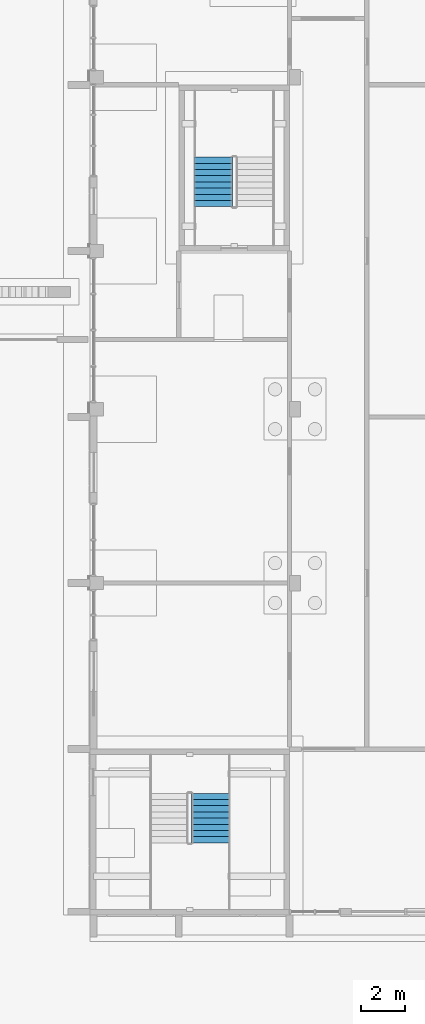
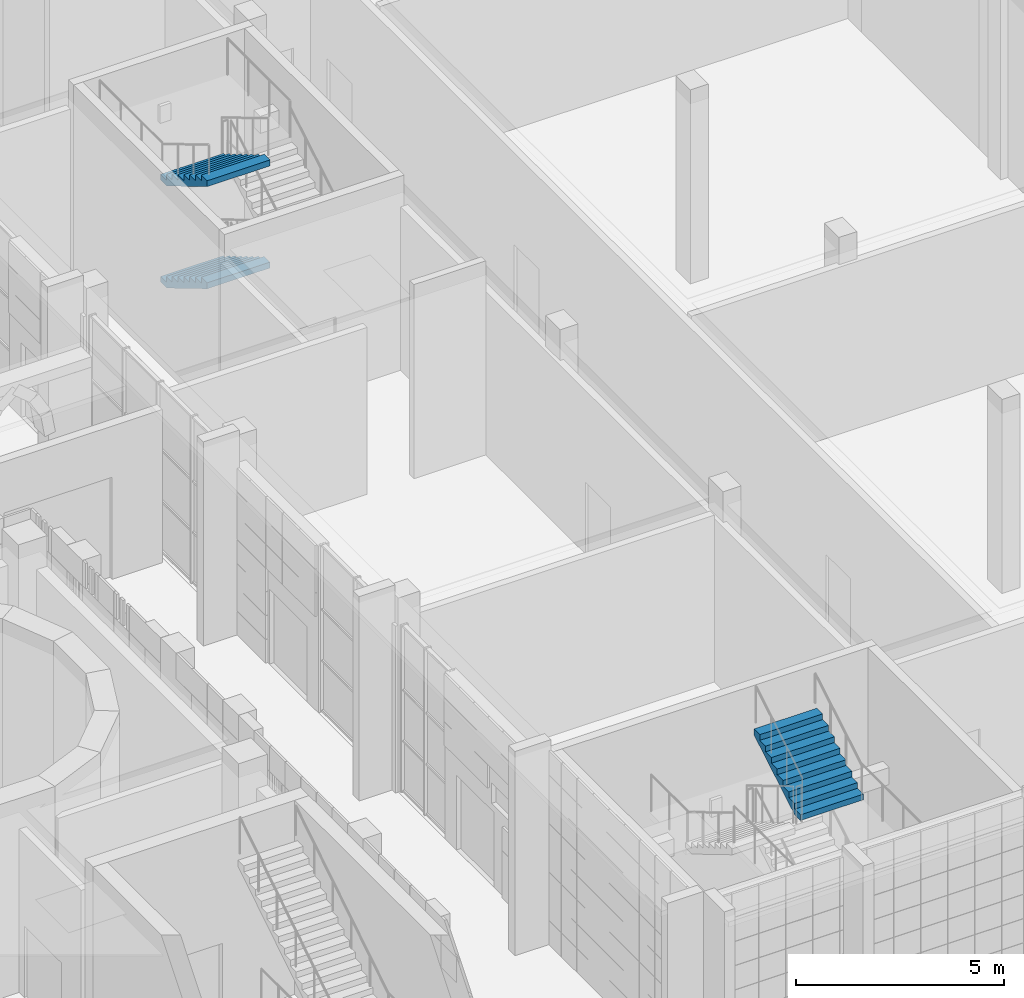
# One storey, part 63 of 125: 3 stair flights, 2 elements without a shape of their own.
"""IFC4 building model written with IfcOpenShell, lengths in metres."""

from ifc_helpers import new_model, si_unit, direction, frame, origin, place, context, subcontext, project, spatial, polyline, outline, extrude, material, type_object, element, aggregate, save


model = new_model("IFC4")

# Units and contexts
model_context = context("Model", 3, precision=1e-05, world=origin(), true_north=direction((0.0, 1.0)))
body_context = subcontext(model_context, "Body", "Model", "MODEL_VIEW")
ifc_project = project(units=[si_unit("LENGTHUNIT", "METRE"), si_unit("AREAUNIT", "SQUARE_METRE"), si_unit("VOLUMEUNIT", "CUBIC_METRE"), si_unit("PLANEANGLEUNIT", "RADIAN"), si_unit("MASSUNIT", "GRAM", prefix="KILO")], contexts=[model_context])

# Site, building, storey
site_placement = place(None, origin())
site = spatial("IfcSite", under=ifc_project, at=site_placement, CompositionType="ELEMENT")
building_placement = place(site_placement, origin())
building = spatial("IfcBuilding", under=site, at=building_placement, Name="Sun Court Science Centre", CompositionType="ELEMENT")
storey_placement = place(building_placement, origin())
storey = spatial("IfcBuildingStorey", under=building, at=storey_placement, Name="L00", CompositionType="ELEMENT", Elevation=0.0)

# Stair, stair flight
ifc_material_1 = material(Name="Concrete C25/30", Category="concrete")
stair_type = type_object("IfcStairType", Name="Stair 1500 enclosed half-turn", PredefinedType="HALF_TURN_STAIR", material=ifc_material_1)
stair_1_placement = place(storey_placement, origin())
stair_1 = element("IfcStair", 1, at=stair_1_placement, inside=storey, type_object=stair_type, Name="L00 Stair SL1", PredefinedType="HALF_TURN_STAIR")
ifc_material_2 = material(Name="Concrete C25/30", Category="concrete")
stair_flight_type = type_object("IfcStairFlightType", Name="Stair flight 1500 with waist", PredefinedType="STRAIGHT", material=ifc_material_2)
stair_flight_1_placement = place(storey_placement, frame((83.448974609375, 9.261962890625, 4.5), z_axis=(0.0, 0.0, 1.0), x_axis=(0.0, 1.0, 0.0)))
stair_flight_1 = element("IfcStairFlight", 2, at=stair_flight_1_placement, type_object=stair_flight_type, Name="SL1 flight 4", NumberOfRisers=9, NumberOfTreads=8, PredefinedType="STRAIGHT", RiserHeight=0.166666667, TreadLength=0.28, context=body_context, shape_type="SweptSolid", body=[
    extrude(outline(polyline([(0.0, 0.0), (0.0, 0.00244140625), (0.0, 0.0048828125), (0.0, 0.00732421875), (0.0, 0.009765625), (0.0, 0.01220703125), (0.0, 0.0146484375), (0.0, 0.01708984375), (0.0, 0.01953125), (0.0, 0.02197265625), (0.0, 0.0244140625), (0.0, 0.02685546875), (0.0, 0.029296875), (0.0, 0.03173828125), (0.0, 0.0341796875), (0.0, 0.03662109375), (0.0, 0.0390625), (0.0, 0.04150390625), (0.0, 0.0439453125), (0.0, 0.04638671875), (0.0, 0.048828125), (0.0, 0.05126953125), (0.0, 0.0537109375), (0.0, 0.05615234375), (0.0, 0.05859375), (0.0, 0.06103515625), (0.0, 0.0634765625), (0.0, 0.06591796875), (0.0, 0.068359375), (0.0, 0.07080078125), (0.0, 0.0732421875), (0.0, 0.07568359375), (0.0, 0.078125), (0.0, 0.08056640625), (0.0, 0.0830078125), (0.0, 0.08544921875), (0.0, 0.087890625), (0.0, 0.09033203125), (0.0, 0.0927734375), (0.0, 0.09521484375), (0.0, 0.09765625), (0.0, 0.10009765625), (0.0, 0.1025390625), (0.0, 0.10498046875), (0.0, 0.107421875), (0.0, 0.10986328125), (0.0, 0.1123046875), (0.0, 0.11474609375), (0.0, 0.1171875), (0.0, 0.11962890625), (0.0, 0.1220703125), (0.0, 0.12451171875), (0.0, 0.126953125), (0.0, 0.12939453125), (0.0, 0.1318359375), (0.0, 0.13427734375), (0.0, 0.13671875), (0.0, 0.13916015625), (0.0, 0.1416015625), (0.0, 0.14404296875), (0.0, 0.146484375), (0.0, 0.14892578125), (0.0, 0.1513671875), (0.0, 0.15380859375), (0.0, 0.15625), (0.0, 0.15869140625), (0.0, 0.1611328125), (0.0, 0.16357421875), (0.0, 0.166748046875), (0.280029296875, 0.166748046875), (0.280029296875, 0.333251953125), (0.56005859375, 0.333251953125), (0.56005859375, 0.5), (0.840087890625, 0.5), (0.840087890625, 0.666748046875), (1.1201171875, 0.666748046875), (1.1201171875, 0.833251953125), (1.39990234375, 0.833251953125), (1.39990234375, 1.0), (1.679931640625, 1.0), (1.679931640625, 1.166748046875), (1.9599609375, 1.166748046875), (1.9599609375, 1.333251953125), (2.239990234375, 1.333251953125), (2.239990234375, 1.335693359375), (2.239990234375, 1.338134765625), (2.239990234375, 1.340576171875), (2.239990234375, 1.343017578125), (2.239990234375, 1.345458984375), (2.239990234375, 1.347900390625), (2.239990234375, 1.350341796875), (2.239990234375, 1.352783203125), (2.239990234375, 1.355224609375), (2.239990234375, 1.357666015625), (2.239990234375, 1.360107421875), (2.239990234375, 1.362548828125), (2.239990234375, 1.364990234375), (2.239990234375, 1.367431640625), (2.239990234375, 1.369873046875), (2.239990234375, 1.372314453125), (2.239990234375, 1.374755859375), (2.239990234375, 1.377197265625), (2.239990234375, 1.379638671875), (2.239990234375, 1.382080078125), (2.239990234375, 1.384521484375), (2.239990234375, 1.386962890625), (2.239990234375, 1.389404296875), (2.239990234375, 1.391845703125), (2.239990234375, 1.394287109375), (2.239990234375, 1.396728515625), (2.239990234375, 1.399169921875), (2.239990234375, 1.401611328125), (2.239990234375, 1.404052734375), (2.239990234375, 1.406494140625), (2.239990234375, 1.408935546875), (2.239990234375, 1.411376953125), (2.239990234375, 1.413818359375), (2.239990234375, 1.416259765625), (2.239990234375, 1.418701171875), (2.239990234375, 1.421142578125), (2.239990234375, 1.423583984375), (2.239990234375, 1.426025390625), (2.239990234375, 1.428466796875), (2.239990234375, 1.430908203125), (2.239990234375, 1.433349609375), (2.239990234375, 1.435791015625), (2.239990234375, 1.438232421875), (2.239990234375, 1.440673828125), (2.239990234375, 1.443115234375), (2.239990234375, 1.445556640625), (2.239990234375, 1.447998046875), (2.239990234375, 1.450439453125), (2.239990234375, 1.452880859375), (2.239990234375, 1.455322265625), (2.239990234375, 1.457763671875), (2.239990234375, 1.460205078125), (2.239990234375, 1.462646484375), (2.239990234375, 1.465087890625), (2.239990234375, 1.467529296875), (2.239990234375, 1.469970703125), (2.239990234375, 1.472412109375), (2.239990234375, 1.474853515625), (2.239990234375, 1.477294921875), (2.239990234375, 1.479736328125), (2.239990234375, 1.482177734375), (2.239990234375, 1.484619140625), (2.239990234375, 1.487060546875), (2.239990234375, 1.489501953125), (2.239990234375, 1.491943359375), (2.239990234375, 1.494384765625), (2.239990234375, 1.496826171875), (2.239990234375, 1.5), (2.239990234375, 1.49755859375), (2.239990234375, 1.4951171875), (2.239990234375, 1.49267578125), (2.239990234375, 1.490234375), (2.239990234375, 1.48779296875), (2.239990234375, 1.4853515625), (2.239990234375, 1.48291015625), (2.239990234375, 1.48046875), (2.239990234375, 1.47802734375), (2.239990234375, 1.4755859375), (2.239990234375, 1.47314453125), (2.239990234375, 1.470703125), (2.239990234375, 1.46826171875), (2.239990234375, 1.4658203125), (2.239990234375, 1.46337890625), (2.239990234375, 1.4609375), (2.239990234375, 1.45849609375), (2.239990234375, 1.4560546875), (2.239990234375, 1.45361328125), (2.239990234375, 1.451171875), (2.239990234375, 1.44873046875), (2.239990234375, 1.4462890625), (2.239990234375, 1.44384765625), (2.239990234375, 1.44140625), (2.239990234375, 1.43896484375), (2.239990234375, 1.4365234375), (2.239990234375, 1.43408203125), (2.239990234375, 1.431640625), (2.239990234375, 1.42919921875), (2.239990234375, 1.4267578125), (2.239990234375, 1.42431640625), (2.239990234375, 1.421875), (2.239990234375, 1.41943359375), (2.239990234375, 1.4169921875), (2.239990234375, 1.41455078125), (2.239990234375, 1.412109375), (2.239990234375, 1.40966796875), (2.239990234375, 1.4072265625), (2.239990234375, 1.40478515625), (2.239990234375, 1.40234375), (2.239990234375, 1.39990234375), (2.239990234375, 1.3974609375), (2.239990234375, 1.39501953125), (2.239990234375, 1.392578125), (2.239990234375, 1.39013671875), (2.239990234375, 1.3876953125), (2.239990234375, 1.38525390625), (2.239990234375, 1.3828125), (2.239990234375, 1.38037109375), (2.239990234375, 1.3779296875), (2.239990234375, 1.37548828125), (2.239990234375, 1.373046875), (2.239990234375, 1.37060546875), (2.239990234375, 1.3681640625), (2.239990234375, 1.36572265625), (2.239990234375, 1.36328125), (2.239990234375, 1.36083984375), (2.239990234375, 1.3583984375), (2.239990234375, 1.35595703125), (2.239990234375, 1.353515625), (2.239990234375, 1.35107421875), (2.239990234375, 1.3486328125), (2.239990234375, 1.34619140625), (2.239990234375, 1.34375), (2.239990234375, 1.34130859375), (2.239990234375, 1.3388671875), (2.239990234375, 1.33642578125), (2.239990234375, 1.333984375), (2.239990234375, 1.33154296875), (2.239990234375, 1.3291015625), (2.239990234375, 1.32666015625), (2.239990234375, 1.32421875), (2.239990234375, 1.32177734375), (2.239990234375, 1.3193359375), (2.239990234375, 1.31689453125), (2.239990234375, 1.314453125), (2.239990234375, 1.31201171875), (2.239990234375, 1.3095703125), (2.239990234375, 1.30712890625), (2.239990234375, 1.3046875), (2.239990234375, 1.30224609375), (2.239990234375, 1.2998046875), (2.239990234375, 1.29736328125), (2.239990234375, 1.294921875), (2.239990234375, 1.29248046875), (2.239990234375, 1.2900390625), (2.239990234375, 1.28759765625), (2.239990234375, 1.28515625), (2.239990234375, 1.28271484375), (2.239990234375, 1.2802734375), (2.239990234375, 1.27783203125), (2.239990234375, 1.275390625), (2.239990234375, 1.27294921875), (2.239990234375, 1.2705078125), (2.239990234375, 1.26806640625), (2.239990234375, 1.265625), (2.239990234375, 1.26318359375), (2.239990234375, 1.2607421875), (2.239990234375, 1.25830078125), (2.239990234375, 1.255859375), (2.239990234375, 1.25341796875), (2.239990234375, 1.2509765625), (2.239990234375, 1.24853515625), (2.239990234375, 1.24609375), (2.239990234375, 1.24365234375), (2.239990234375, 1.2412109375), (2.239990234375, 1.23876953125), (2.239990234375, 1.236328125), (2.239990234375, 1.23388671875), (2.239990234375, 1.2314453125), (2.239990234375, 1.22900390625), (2.239990234375, 1.2265625), (2.239990234375, 1.22412109375), (2.239990234375, 1.2216796875), (2.239990234375, 1.21923828125), (2.239990234375, 1.216796875), (2.239990234375, 1.21435546875), (2.239990234375, 1.2119140625), (2.239990234375, 1.20947265625), (2.239990234375, 1.20703125), (2.239990234375, 1.20458984375), (2.239990234375, 1.2021484375), (2.239990234375, 1.19970703125), (2.239990234375, 1.197265625), (2.239990234375, 1.19482421875), (2.239990234375, 1.1923828125), (2.239990234375, 1.18994140625), (2.239990234375, 1.1875), (2.239990234375, 1.18505859375), (2.239990234375, 1.1826171875), (2.239990234375, 1.18017578125), (2.239990234375, 1.177734375), (2.239990234375, 1.17529296875), (2.239990234375, 1.1728515625), (2.239990234375, 1.17041015625), (2.239990234375, 1.16796875), (2.239990234375, 1.16552734375), (2.239990234375, 1.1630859375), (2.239990234375, 1.158935546875), (0.29296875, 0.0), (0.0, 0.0)])), frame((0.0, 0.8740234375, 0.0), z_axis=(0.0, -1.0, 0.0), x_axis=(1.0, 0.0, 0.0)), (0.0, 0.0, 1.0), 1.748046875),
])
aggregate(stair_1, [stair_flight_1])

# Stair, stair flights
stair_2_placement = place(storey_placement, origin())
stair_2 = element("IfcStair", 3, at=stair_2_placement, inside=storey, type_object=stair_type, Name="L00 Stair SL2", PredefinedType="HALF_TURN_STAIR")
stair_flight_2_placement = place(storey_placement, frame((83.551025390625, 40.238037109375, 1.5), z_axis=(0.0, 0.0, 1.0), x_axis=(0.0, -1.0, 0.0)))
stair_flight_2 = element("IfcStairFlight", 4, at=stair_flight_2_placement, type_object=stair_flight_type, Name="SL2 flight 2", NumberOfRisers=9, NumberOfTreads=8, PredefinedType="STRAIGHT", RiserHeight=0.166666667, TreadLength=0.28, context=body_context, shape_type="SweptSolid", body=[
    extrude(outline(polyline([(0.0, 0.0), (0.0, 0.00244140625), (0.0, 0.0048828125), (0.0, 0.00732421875), (0.0, 0.009765625), (0.0, 0.01220703125), (0.0, 0.0146484375), (0.0, 0.01708984375), (0.0, 0.01953125), (0.0, 0.02197265625), (0.0, 0.0244140625), (0.0, 0.02685546875), (0.0, 0.029296875), (0.0, 0.03173828125), (0.0, 0.0341796875), (0.0, 0.03662109375), (0.0, 0.0390625), (0.0, 0.04150390625), (0.0, 0.0439453125), (0.0, 0.04638671875), (0.0, 0.048828125), (0.0, 0.05126953125), (0.0, 0.0537109375), (0.0, 0.05615234375), (0.0, 0.05859375), (0.0, 0.06103515625), (0.0, 0.0634765625), (0.0, 0.06591796875), (0.0, 0.068359375), (0.0, 0.07080078125), (0.0, 0.0732421875), (0.0, 0.07568359375), (0.0, 0.078125), (0.0, 0.08056640625), (0.0, 0.0830078125), (0.0, 0.08544921875), (0.0, 0.087890625), (0.0, 0.09033203125), (0.0, 0.0927734375), (0.0, 0.09521484375), (0.0, 0.09765625), (0.0, 0.10009765625), (0.0, 0.1025390625), (0.0, 0.10498046875), (0.0, 0.107421875), (0.0, 0.10986328125), (0.0, 0.1123046875), (0.0, 0.11474609375), (0.0, 0.1171875), (0.0, 0.11962890625), (0.0, 0.1220703125), (0.0, 0.12451171875), (0.0, 0.126953125), (0.0, 0.12939453125), (0.0, 0.1318359375), (0.0, 0.13427734375), (0.0, 0.13671875), (0.0, 0.13916015625), (0.0, 0.1416015625), (0.0, 0.14404296875), (0.0, 0.146484375), (0.0, 0.14892578125), (0.0, 0.1513671875), (0.0, 0.15380859375), (0.0, 0.15625), (0.0, 0.15869140625), (0.0, 0.1611328125), (0.0, 0.16357421875), (0.0, 0.166748046875), (0.280029296875, 0.166748046875), (0.280029296875, 0.333251953125), (0.56005859375, 0.333251953125), (0.56005859375, 0.5), (0.840087890625, 0.5), (0.840087890625, 0.666748046875), (1.1201171875, 0.666748046875), (1.1201171875, 0.833251953125), (1.39990234375, 0.833251953125), (1.39990234375, 1.0), (1.679931640625, 1.0), (1.679931640625, 1.166748046875), (1.9599609375, 1.166748046875), (1.9599609375, 1.333251953125), (2.239990234375, 1.333251953125), (2.239990234375, 1.335693359375), (2.239990234375, 1.338134765625), (2.239990234375, 1.340576171875), (2.239990234375, 1.343017578125), (2.239990234375, 1.345458984375), (2.239990234375, 1.347900390625), (2.239990234375, 1.350341796875), (2.239990234375, 1.352783203125), (2.239990234375, 1.355224609375), (2.239990234375, 1.357666015625), (2.239990234375, 1.360107421875), (2.239990234375, 1.362548828125), (2.239990234375, 1.364990234375), (2.239990234375, 1.367431640625), (2.239990234375, 1.369873046875), (2.239990234375, 1.372314453125), (2.239990234375, 1.374755859375), (2.239990234375, 1.377197265625), (2.239990234375, 1.379638671875), (2.239990234375, 1.382080078125), (2.239990234375, 1.384521484375), (2.239990234375, 1.386962890625), (2.239990234375, 1.389404296875), (2.239990234375, 1.391845703125), (2.239990234375, 1.394287109375), (2.239990234375, 1.396728515625), (2.239990234375, 1.399169921875), (2.239990234375, 1.401611328125), (2.239990234375, 1.404052734375), (2.239990234375, 1.406494140625), (2.239990234375, 1.408935546875), (2.239990234375, 1.411376953125), (2.239990234375, 1.413818359375), (2.239990234375, 1.416259765625), (2.239990234375, 1.418701171875), (2.239990234375, 1.421142578125), (2.239990234375, 1.423583984375), (2.239990234375, 1.426025390625), (2.239990234375, 1.428466796875), (2.239990234375, 1.430908203125), (2.239990234375, 1.433349609375), (2.239990234375, 1.435791015625), (2.239990234375, 1.438232421875), (2.239990234375, 1.440673828125), (2.239990234375, 1.443115234375), (2.239990234375, 1.445556640625), (2.239990234375, 1.447998046875), (2.239990234375, 1.450439453125), (2.239990234375, 1.452880859375), (2.239990234375, 1.455322265625), (2.239990234375, 1.457763671875), (2.239990234375, 1.460205078125), (2.239990234375, 1.462646484375), (2.239990234375, 1.465087890625), (2.239990234375, 1.467529296875), (2.239990234375, 1.469970703125), (2.239990234375, 1.472412109375), (2.239990234375, 1.474853515625), (2.239990234375, 1.477294921875), (2.239990234375, 1.479736328125), (2.239990234375, 1.482177734375), (2.239990234375, 1.484619140625), (2.239990234375, 1.487060546875), (2.239990234375, 1.489501953125), (2.239990234375, 1.491943359375), (2.239990234375, 1.494384765625), (2.239990234375, 1.496826171875), (2.239990234375, 1.5), (2.239990234375, 1.49755859375), (2.239990234375, 1.4951171875), (2.239990234375, 1.49267578125), (2.239990234375, 1.490234375), (2.239990234375, 1.48779296875), (2.239990234375, 1.4853515625), (2.239990234375, 1.48291015625), (2.239990234375, 1.48046875), (2.239990234375, 1.47802734375), (2.239990234375, 1.4755859375), (2.239990234375, 1.47314453125), (2.239990234375, 1.470703125), (2.239990234375, 1.46826171875), (2.239990234375, 1.4658203125), (2.239990234375, 1.46337890625), (2.239990234375, 1.4609375), (2.239990234375, 1.45849609375), (2.239990234375, 1.4560546875), (2.239990234375, 1.45361328125), (2.239990234375, 1.451171875), (2.239990234375, 1.44873046875), (2.239990234375, 1.4462890625), (2.239990234375, 1.44384765625), (2.239990234375, 1.44140625), (2.239990234375, 1.43896484375), (2.239990234375, 1.4365234375), (2.239990234375, 1.43408203125), (2.239990234375, 1.431640625), (2.239990234375, 1.42919921875), (2.239990234375, 1.4267578125), (2.239990234375, 1.42431640625), (2.239990234375, 1.421875), (2.239990234375, 1.41943359375), (2.239990234375, 1.4169921875), (2.239990234375, 1.41455078125), (2.239990234375, 1.412109375), (2.239990234375, 1.40966796875), (2.239990234375, 1.4072265625), (2.239990234375, 1.40478515625), (2.239990234375, 1.40234375), (2.239990234375, 1.39990234375), (2.239990234375, 1.3974609375), (2.239990234375, 1.39501953125), (2.239990234375, 1.392578125), (2.239990234375, 1.39013671875), (2.239990234375, 1.3876953125), (2.239990234375, 1.38525390625), (2.239990234375, 1.3828125), (2.239990234375, 1.38037109375), (2.239990234375, 1.3779296875), (2.239990234375, 1.37548828125), (2.239990234375, 1.373046875), (2.239990234375, 1.37060546875), (2.239990234375, 1.3681640625), (2.239990234375, 1.36572265625), (2.239990234375, 1.36328125), (2.239990234375, 1.36083984375), (2.239990234375, 1.3583984375), (2.239990234375, 1.35595703125), (2.239990234375, 1.353515625), (2.239990234375, 1.35107421875), (2.239990234375, 1.3486328125), (2.239990234375, 1.34619140625), (2.239990234375, 1.34375), (2.239990234375, 1.34130859375), (2.239990234375, 1.3388671875), (2.239990234375, 1.33642578125), (2.239990234375, 1.333984375), (2.239990234375, 1.33154296875), (2.239990234375, 1.3291015625), (2.239990234375, 1.32666015625), (2.239990234375, 1.32421875), (2.239990234375, 1.32177734375), (2.239990234375, 1.3193359375), (2.239990234375, 1.31689453125), (2.239990234375, 1.314453125), (2.239990234375, 1.31201171875), (2.239990234375, 1.3095703125), (2.239990234375, 1.30712890625), (2.239990234375, 1.3046875), (2.239990234375, 1.30224609375), (2.239990234375, 1.2998046875), (2.239990234375, 1.29736328125), (2.239990234375, 1.294921875), (2.239990234375, 1.29248046875), (2.239990234375, 1.2900390625), (2.239990234375, 1.28759765625), (2.239990234375, 1.28515625), (2.239990234375, 1.28271484375), (2.239990234375, 1.2802734375), (2.239990234375, 1.27783203125), (2.239990234375, 1.275390625), (2.239990234375, 1.27294921875), (2.239990234375, 1.2705078125), (2.239990234375, 1.26806640625), (2.239990234375, 1.265625), (2.239990234375, 1.26318359375), (2.239990234375, 1.2607421875), (2.239990234375, 1.25830078125), (2.239990234375, 1.255859375), (2.239990234375, 1.25341796875), (2.239990234375, 1.2509765625), (2.239990234375, 1.24853515625), (2.239990234375, 1.24609375), (2.239990234375, 1.24365234375), (2.239990234375, 1.2412109375), (2.239990234375, 1.23876953125), (2.239990234375, 1.236328125), (2.239990234375, 1.23388671875), (2.239990234375, 1.2314453125), (2.239990234375, 1.22900390625), (2.239990234375, 1.2265625), (2.239990234375, 1.22412109375), (2.239990234375, 1.2216796875), (2.239990234375, 1.21923828125), (2.239990234375, 1.216796875), (2.239990234375, 1.21435546875), (2.239990234375, 1.2119140625), (2.239990234375, 1.20947265625), (2.239990234375, 1.20703125), (2.239990234375, 1.20458984375), (2.239990234375, 1.2021484375), (2.239990234375, 1.19970703125), (2.239990234375, 1.197265625), (2.239990234375, 1.19482421875), (2.239990234375, 1.1923828125), (2.239990234375, 1.18994140625), (2.239990234375, 1.1875), (2.239990234375, 1.18505859375), (2.239990234375, 1.1826171875), (2.239990234375, 1.18017578125), (2.239990234375, 1.177734375), (2.239990234375, 1.17529296875), (2.239990234375, 1.1728515625), (2.239990234375, 1.17041015625), (2.239990234375, 1.16796875), (2.239990234375, 1.16552734375), (2.239990234375, 1.1630859375), (2.239990234375, 1.158935546875), (0.29296875, 0.0), (0.0, 0.0)])), frame((0.0, 0.8740234375, 0.0), z_axis=(0.0, -1.0, 0.0), x_axis=(1.0, 0.0, 0.0)), (0.0, 0.0, 1.0), 1.748046875),
])
stair_flight_3_placement = place(storey_placement, frame((83.551025390625, 40.238037109375, 4.5), z_axis=(0.0, 0.0, 1.0), x_axis=(0.0, -1.0, 0.0)))
stair_flight_3 = element("IfcStairFlight", 5, at=stair_flight_3_placement, type_object=stair_flight_type, Name="SL2 flight 4", NumberOfRisers=9, NumberOfTreads=8, PredefinedType="STRAIGHT", RiserHeight=0.166666667, TreadLength=0.28, context=body_context, shape_type="SweptSolid", body=[
    extrude(outline(polyline([(0.0, 0.0), (0.0, 0.00244140625), (0.0, 0.0048828125), (0.0, 0.00732421875), (0.0, 0.009765625), (0.0, 0.01220703125), (0.0, 0.0146484375), (0.0, 0.01708984375), (0.0, 0.01953125), (0.0, 0.02197265625), (0.0, 0.0244140625), (0.0, 0.02685546875), (0.0, 0.029296875), (0.0, 0.03173828125), (0.0, 0.0341796875), (0.0, 0.03662109375), (0.0, 0.0390625), (0.0, 0.04150390625), (0.0, 0.0439453125), (0.0, 0.04638671875), (0.0, 0.048828125), (0.0, 0.05126953125), (0.0, 0.0537109375), (0.0, 0.05615234375), (0.0, 0.05859375), (0.0, 0.06103515625), (0.0, 0.0634765625), (0.0, 0.06591796875), (0.0, 0.068359375), (0.0, 0.07080078125), (0.0, 0.0732421875), (0.0, 0.07568359375), (0.0, 0.078125), (0.0, 0.08056640625), (0.0, 0.0830078125), (0.0, 0.08544921875), (0.0, 0.087890625), (0.0, 0.09033203125), (0.0, 0.0927734375), (0.0, 0.09521484375), (0.0, 0.09765625), (0.0, 0.10009765625), (0.0, 0.1025390625), (0.0, 0.10498046875), (0.0, 0.107421875), (0.0, 0.10986328125), (0.0, 0.1123046875), (0.0, 0.11474609375), (0.0, 0.1171875), (0.0, 0.11962890625), (0.0, 0.1220703125), (0.0, 0.12451171875), (0.0, 0.126953125), (0.0, 0.12939453125), (0.0, 0.1318359375), (0.0, 0.13427734375), (0.0, 0.13671875), (0.0, 0.13916015625), (0.0, 0.1416015625), (0.0, 0.14404296875), (0.0, 0.146484375), (0.0, 0.14892578125), (0.0, 0.1513671875), (0.0, 0.15380859375), (0.0, 0.15625), (0.0, 0.15869140625), (0.0, 0.1611328125), (0.0, 0.16357421875), (0.0, 0.166748046875), (0.280029296875, 0.166748046875), (0.280029296875, 0.333251953125), (0.56005859375, 0.333251953125), (0.56005859375, 0.5), (0.840087890625, 0.5), (0.840087890625, 0.666748046875), (1.1201171875, 0.666748046875), (1.1201171875, 0.833251953125), (1.39990234375, 0.833251953125), (1.39990234375, 1.0), (1.679931640625, 1.0), (1.679931640625, 1.166748046875), (1.9599609375, 1.166748046875), (1.9599609375, 1.333251953125), (2.239990234375, 1.333251953125), (2.239990234375, 1.335693359375), (2.239990234375, 1.338134765625), (2.239990234375, 1.340576171875), (2.239990234375, 1.343017578125), (2.239990234375, 1.345458984375), (2.239990234375, 1.347900390625), (2.239990234375, 1.350341796875), (2.239990234375, 1.352783203125), (2.239990234375, 1.355224609375), (2.239990234375, 1.357666015625), (2.239990234375, 1.360107421875), (2.239990234375, 1.362548828125), (2.239990234375, 1.364990234375), (2.239990234375, 1.367431640625), (2.239990234375, 1.369873046875), (2.239990234375, 1.372314453125), (2.239990234375, 1.374755859375), (2.239990234375, 1.377197265625), (2.239990234375, 1.379638671875), (2.239990234375, 1.382080078125), (2.239990234375, 1.384521484375), (2.239990234375, 1.386962890625), (2.239990234375, 1.389404296875), (2.239990234375, 1.391845703125), (2.239990234375, 1.394287109375), (2.239990234375, 1.396728515625), (2.239990234375, 1.399169921875), (2.239990234375, 1.401611328125), (2.239990234375, 1.404052734375), (2.239990234375, 1.406494140625), (2.239990234375, 1.408935546875), (2.239990234375, 1.411376953125), (2.239990234375, 1.413818359375), (2.239990234375, 1.416259765625), (2.239990234375, 1.418701171875), (2.239990234375, 1.421142578125), (2.239990234375, 1.423583984375), (2.239990234375, 1.426025390625), (2.239990234375, 1.428466796875), (2.239990234375, 1.430908203125), (2.239990234375, 1.433349609375), (2.239990234375, 1.435791015625), (2.239990234375, 1.438232421875), (2.239990234375, 1.440673828125), (2.239990234375, 1.443115234375), (2.239990234375, 1.445556640625), (2.239990234375, 1.447998046875), (2.239990234375, 1.450439453125), (2.239990234375, 1.452880859375), (2.239990234375, 1.455322265625), (2.239990234375, 1.457763671875), (2.239990234375, 1.460205078125), (2.239990234375, 1.462646484375), (2.239990234375, 1.465087890625), (2.239990234375, 1.467529296875), (2.239990234375, 1.469970703125), (2.239990234375, 1.472412109375), (2.239990234375, 1.474853515625), (2.239990234375, 1.477294921875), (2.239990234375, 1.479736328125), (2.239990234375, 1.482177734375), (2.239990234375, 1.484619140625), (2.239990234375, 1.487060546875), (2.239990234375, 1.489501953125), (2.239990234375, 1.491943359375), (2.239990234375, 1.494384765625), (2.239990234375, 1.496826171875), (2.239990234375, 1.5), (2.239990234375, 1.49755859375), (2.239990234375, 1.4951171875), (2.239990234375, 1.49267578125), (2.239990234375, 1.490234375), (2.239990234375, 1.48779296875), (2.239990234375, 1.4853515625), (2.239990234375, 1.48291015625), (2.239990234375, 1.48046875), (2.239990234375, 1.47802734375), (2.239990234375, 1.4755859375), (2.239990234375, 1.47314453125), (2.239990234375, 1.470703125), (2.239990234375, 1.46826171875), (2.239990234375, 1.4658203125), (2.239990234375, 1.46337890625), (2.239990234375, 1.4609375), (2.239990234375, 1.45849609375), (2.239990234375, 1.4560546875), (2.239990234375, 1.45361328125), (2.239990234375, 1.451171875), (2.239990234375, 1.44873046875), (2.239990234375, 1.4462890625), (2.239990234375, 1.44384765625), (2.239990234375, 1.44140625), (2.239990234375, 1.43896484375), (2.239990234375, 1.4365234375), (2.239990234375, 1.43408203125), (2.239990234375, 1.431640625), (2.239990234375, 1.42919921875), (2.239990234375, 1.4267578125), (2.239990234375, 1.42431640625), (2.239990234375, 1.421875), (2.239990234375, 1.41943359375), (2.239990234375, 1.4169921875), (2.239990234375, 1.41455078125), (2.239990234375, 1.412109375), (2.239990234375, 1.40966796875), (2.239990234375, 1.4072265625), (2.239990234375, 1.40478515625), (2.239990234375, 1.40234375), (2.239990234375, 1.39990234375), (2.239990234375, 1.3974609375), (2.239990234375, 1.39501953125), (2.239990234375, 1.392578125), (2.239990234375, 1.39013671875), (2.239990234375, 1.3876953125), (2.239990234375, 1.38525390625), (2.239990234375, 1.3828125), (2.239990234375, 1.38037109375), (2.239990234375, 1.3779296875), (2.239990234375, 1.37548828125), (2.239990234375, 1.373046875), (2.239990234375, 1.37060546875), (2.239990234375, 1.3681640625), (2.239990234375, 1.36572265625), (2.239990234375, 1.36328125), (2.239990234375, 1.36083984375), (2.239990234375, 1.3583984375), (2.239990234375, 1.35595703125), (2.239990234375, 1.353515625), (2.239990234375, 1.35107421875), (2.239990234375, 1.3486328125), (2.239990234375, 1.34619140625), (2.239990234375, 1.34375), (2.239990234375, 1.34130859375), (2.239990234375, 1.3388671875), (2.239990234375, 1.33642578125), (2.239990234375, 1.333984375), (2.239990234375, 1.33154296875), (2.239990234375, 1.3291015625), (2.239990234375, 1.32666015625), (2.239990234375, 1.32421875), (2.239990234375, 1.32177734375), (2.239990234375, 1.3193359375), (2.239990234375, 1.31689453125), (2.239990234375, 1.314453125), (2.239990234375, 1.31201171875), (2.239990234375, 1.3095703125), (2.239990234375, 1.30712890625), (2.239990234375, 1.3046875), (2.239990234375, 1.30224609375), (2.239990234375, 1.2998046875), (2.239990234375, 1.29736328125), (2.239990234375, 1.294921875), (2.239990234375, 1.29248046875), (2.239990234375, 1.2900390625), (2.239990234375, 1.28759765625), (2.239990234375, 1.28515625), (2.239990234375, 1.28271484375), (2.239990234375, 1.2802734375), (2.239990234375, 1.27783203125), (2.239990234375, 1.275390625), (2.239990234375, 1.27294921875), (2.239990234375, 1.2705078125), (2.239990234375, 1.26806640625), (2.239990234375, 1.265625), (2.239990234375, 1.26318359375), (2.239990234375, 1.2607421875), (2.239990234375, 1.25830078125), (2.239990234375, 1.255859375), (2.239990234375, 1.25341796875), (2.239990234375, 1.2509765625), (2.239990234375, 1.24853515625), (2.239990234375, 1.24609375), (2.239990234375, 1.24365234375), (2.239990234375, 1.2412109375), (2.239990234375, 1.23876953125), (2.239990234375, 1.236328125), (2.239990234375, 1.23388671875), (2.239990234375, 1.2314453125), (2.239990234375, 1.22900390625), (2.239990234375, 1.2265625), (2.239990234375, 1.22412109375), (2.239990234375, 1.2216796875), (2.239990234375, 1.21923828125), (2.239990234375, 1.216796875), (2.239990234375, 1.21435546875), (2.239990234375, 1.2119140625), (2.239990234375, 1.20947265625), (2.239990234375, 1.20703125), (2.239990234375, 1.20458984375), (2.239990234375, 1.2021484375), (2.239990234375, 1.19970703125), (2.239990234375, 1.197265625), (2.239990234375, 1.19482421875), (2.239990234375, 1.1923828125), (2.239990234375, 1.18994140625), (2.239990234375, 1.1875), (2.239990234375, 1.18505859375), (2.239990234375, 1.1826171875), (2.239990234375, 1.18017578125), (2.239990234375, 1.177734375), (2.239990234375, 1.17529296875), (2.239990234375, 1.1728515625), (2.239990234375, 1.17041015625), (2.239990234375, 1.16796875), (2.239990234375, 1.16552734375), (2.239990234375, 1.1630859375), (2.239990234375, 1.158935546875), (0.29296875, 0.0), (0.0, 0.0)])), frame((0.0, 0.8740234375, 0.0), z_axis=(0.0, -1.0, 0.0), x_axis=(1.0, 0.0, 0.0)), (0.0, 0.0, 1.0), 1.748046875),
])
aggregate(stair_2, [stair_flight_2, stair_flight_3])

save(model, "model.ifc")
